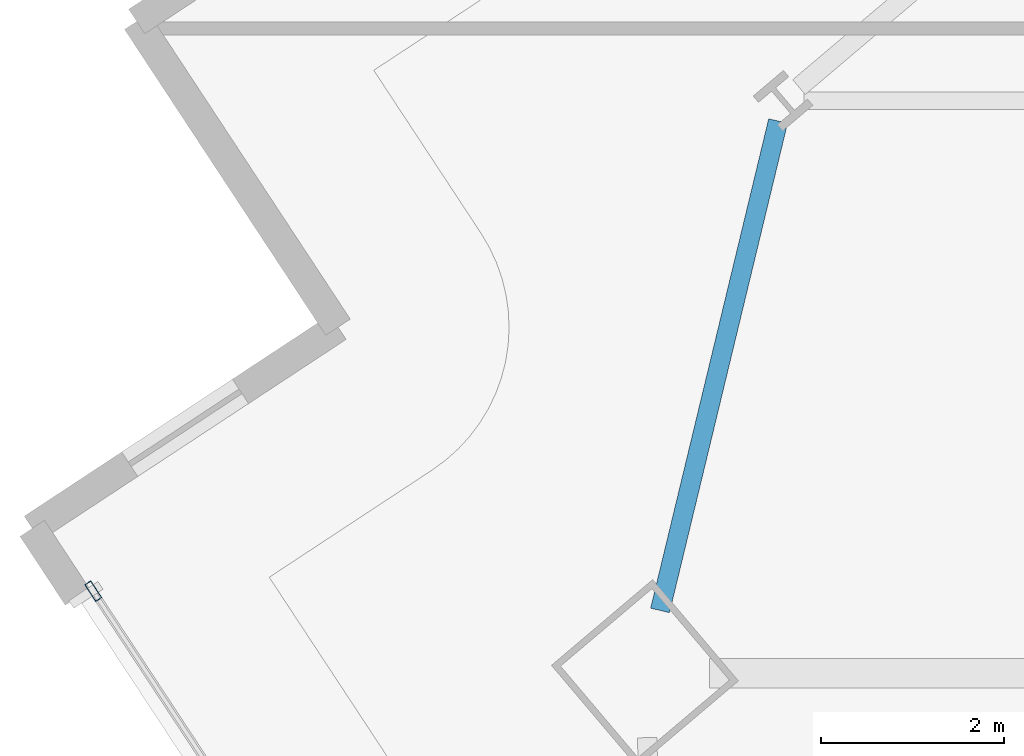
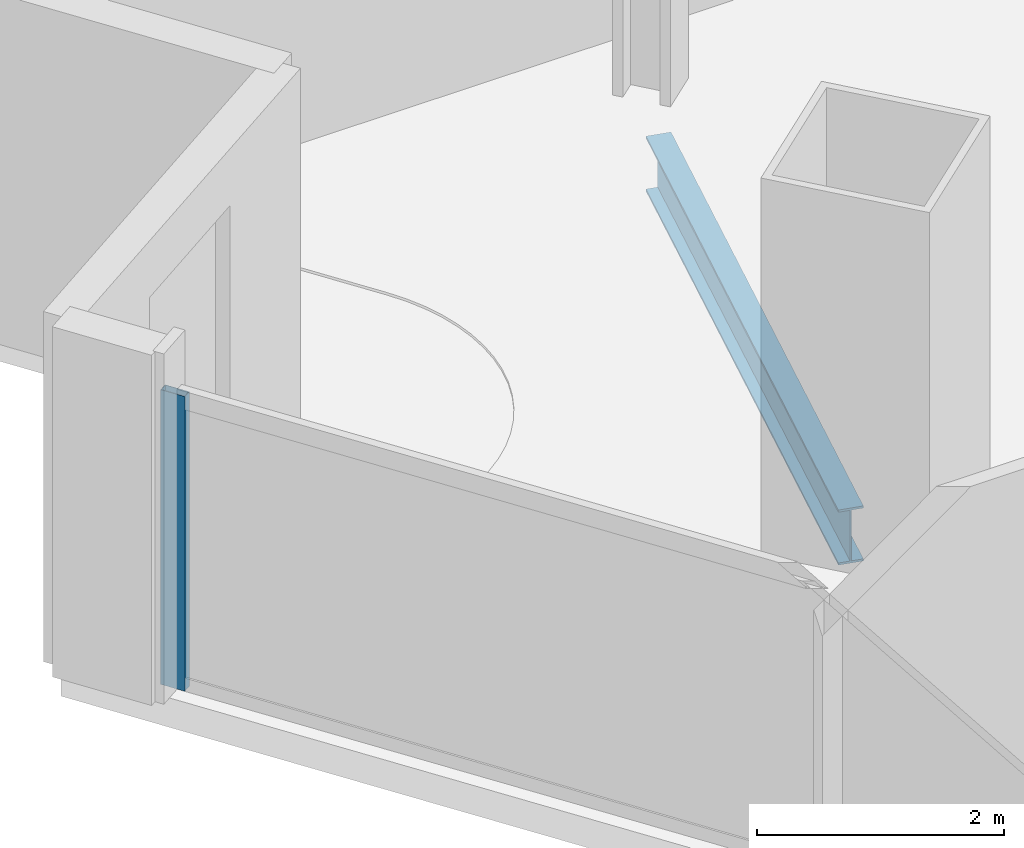
# One storey, part 11 of 29: 1 beam, 1 member, 1 element without a shape of its own.
"""IFC4 building model written with IfcOpenShell, lengths in metres."""

from ifc_helpers import new_model, si_unit, direction, frame, origin, origin_2d, place, context, subcontext, project, spatial, hollow_rectangle, i_section, extrude, material, material_profile, profile_set, type_object, element, aggregate, save


model = new_model("IFC4")

# Units and contexts
model_context = context("Model", 3, precision=1e-05, world=origin(), true_north=direction((0.0, 1.0)))
body_context = subcontext(model_context, "Body", "Model", "MODEL_VIEW")
ifc_project = project(units=[si_unit("LENGTHUNIT", "METRE"), si_unit("AREAUNIT", "SQUARE_METRE"), si_unit("VOLUMEUNIT", "CUBIC_METRE"), si_unit("PLANEANGLEUNIT", "RADIAN"), si_unit("MASSUNIT", "GRAM", prefix="KILO")], contexts=[model_context])

# Site, building, storey
site_placement = place(None, origin())
site = spatial("IfcSite", under=ifc_project, at=site_placement, CompositionType="ELEMENT")
building_placement = place(site_placement, origin())
building = spatial("IfcBuilding", under=site, at=building_placement, Name="Haldenkirk Collegiate Tower", CompositionType="ELEMENT")
storey_placement = place(building_placement, frame((0.0, 0.0, 140.699951171875)))
storey = spatial("IfcBuildingStorey", under=building, at=storey_placement, Name="L34", CompositionType="ELEMENT", Elevation=140.699951171875)

# Beam
ifc_material_1 = material(Name="Steel ASTM A992 Grade 50", Category="steel")
ifc_material_profile_1 = material_profile(ifc_material_1, i_section(OverallWidth=0.2119140625, OverallDepth=0.5439453125, WebThickness=0.01318359375, FlangeThickness=0.021240234375, at=origin_2d()), Name="W21X83")
ifc_profile_set_1 = profile_set([ifc_material_profile_1], Name="Steel ASTM A992 Grade 50")
beam_type = type_object("IfcBeamType", Name="BM-SPANDREL-W21X83", PredefinedType="SPANDREL", material=ifc_profile_set_1)
beam_placement = place(storey_placement, frame((12.21630859375, 33.137451171875, -0.56201171875), z_axis=(-0.234477140293, -0.972121633686, 0.0), x_axis=(0.972121633686, -0.234477140293, 0.0)))
element("IfcBeam", 1, at=beam_placement, inside=storey, type_object=beam_type, Name="L34 perimeter spandrel beam 12", PredefinedType="SPANDREL", context=body_context, shape_type="SweptSolid", body=[
    extrude(i_section(OverallWidth=0.2119140625, OverallDepth=0.5439453125, WebThickness=0.01318359375, FlangeThickness=0.021240234375, at=origin_2d()), origin(), (0.0, 0.0, 1.0), 5.501708984375),
])

# Curtain wall, member
ifc_material_2 = material(Name="Anodised architectural bronze aluminium", Category="aluminium")
curtain_wall_type = type_object("IfcCurtainWallType", Name="CW-SYS1-CONVEX-LOW", PredefinedType="USERDEFINED", material=ifc_material_2)
curtain_wall_placement = place(storey_placement, origin())
curtain_wall = element("IfcCurtainWall", 2, at=curtain_wall_placement, inside=storey, type_object=curtain_wall_type, Name="L34 Lower tower convex bronze-framed unitised curtain wall", ObjectType="UNITISED CURTAIN WALL", PredefinedType="USERDEFINED")
ifc_material_profile_2 = material_profile(ifc_material_2, hollow_rectangle(XDim=0.080078125, YDim=0.219970703125, WallThickness=0.0048828125, at=origin_2d()), Name="CW-MUL-1A")
ifc_profile_set_2 = profile_set([ifc_material_profile_2], Name="Anodised architectural bronze aluminium")
member_type = type_object("IfcMemberType", Name="CW-MUL-1A", PredefinedType="MULLION", material=ifc_profile_set_2)
member_placement = place(storey_placement, frame((4.731689453125, 27.99951171875, 0.0), z_axis=(0.0, 0.0, 1.0), x_axis=(-0.835327147031, -0.549753178648, 0.0)))
member = element("IfcMember", 3, at=member_placement, type_object=member_type, Name="CW-1A mullion 5", PredefinedType="MULLION", context=body_context, shape_type="SweptSolid", body=[
    extrude(hollow_rectangle(XDim=0.080078125, YDim=0.219970703125, WallThickness=0.0048828125, at=origin_2d()), origin(), (0.0, 0.0, 1.0), 2.9111328125),
])
aggregate(curtain_wall, [member])

save(model, "model.ifc")
